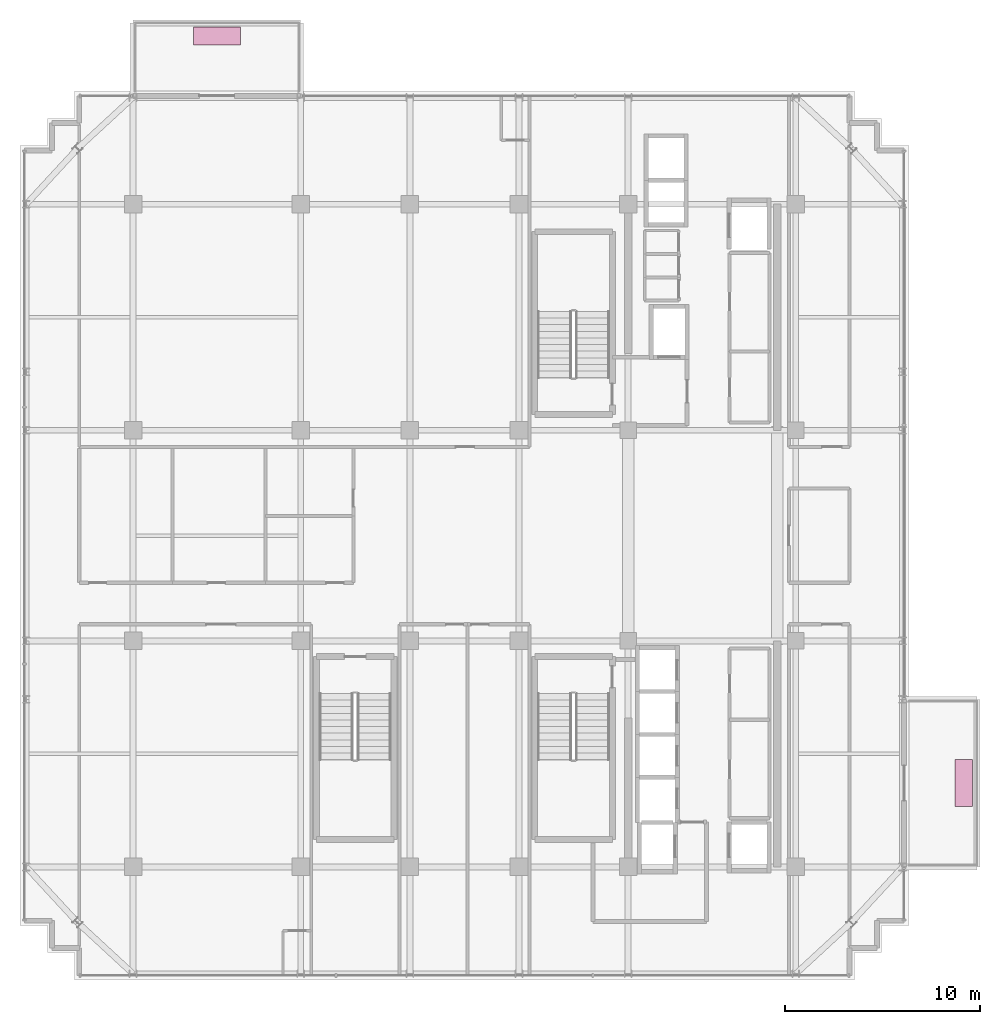
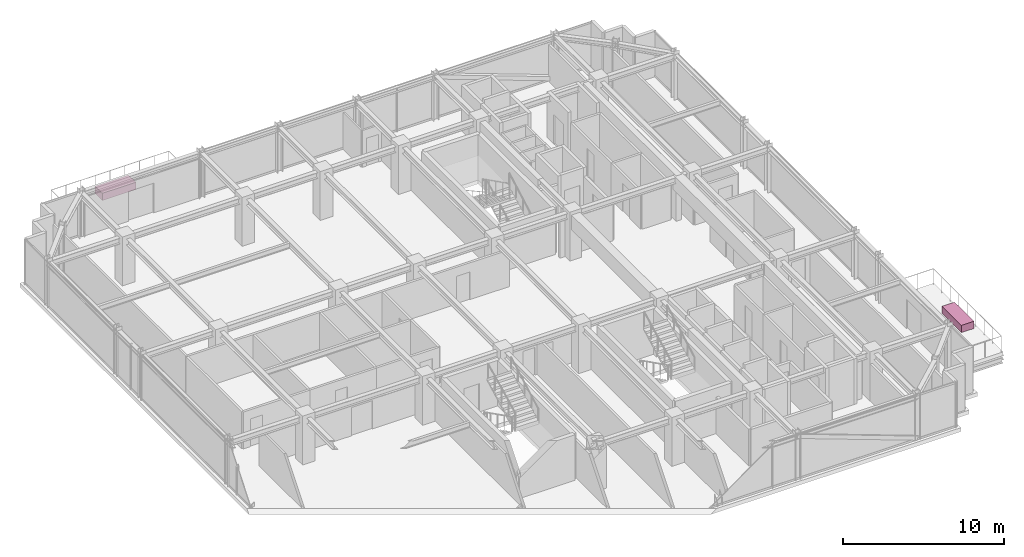
# One storey, part 31 of 31: 2 furnishings.
"""IFC4 building model written with IfcOpenShell, lengths in metres."""

from ifc_helpers import new_model, si_unit, direction, frame, origin, origin_2d, place, context, subcontext, project, spatial, rectangle, extrude, source, transform, mapped, material, type_object, element, save


model = new_model("IFC4")

# Units and contexts
model_context = context("Model", 3, precision=1e-05, world=origin(), true_north=direction((0.0, 1.0)))
body_context = subcontext(model_context, "Body", "Model", "MODEL_VIEW")
ifc_project = project(units=[si_unit("LENGTHUNIT", "METRE"), si_unit("AREAUNIT", "SQUARE_METRE"), si_unit("VOLUMEUNIT", "CUBIC_METRE"), si_unit("PLANEANGLEUNIT", "RADIAN"), si_unit("MASSUNIT", "GRAM", prefix="KILO")], contexts=[model_context])

# Site, building, storey
site_placement = place(None, origin())
site = spatial("IfcSite", under=ifc_project, at=site_placement, CompositionType="ELEMENT")
building_placement = place(site_placement, origin())
building = spatial("IfcBuilding", under=site, at=building_placement, Name="Nahalor Promenade Grand Hotel", CompositionType="ELEMENT")
storey_placement = place(building_placement, frame((0.0, 0.0, 281.300048828125)))
storey = spatial("IfcBuildingStorey", under=building, at=storey_placement, Name="L72", CompositionType="ELEMENT", Elevation=281.300048828125)

# Furnishings
ifc_material = material(Name="Vegetated Volcanic-Lapilli Tree Planter", Category="earth")
furnishing_element_type = type_object("IfcFurnishingElementType", Name="Planter-VerticalForest-Box", material=ifc_material)
shared_shape = source(origin(), body_context, "Body", "SweptSolid", [
    extrude(rectangle(XDim=2.39990234375, YDim=0.89990234375, at=origin_2d()), origin(), (0.0, 0.0, 1.0), 0.550048828125),
])
for number, where, z_axis, x_axis, name in (
    (1, (-12.699951171875, 25.6298828125, 0.0), (0.0, 0.0, 1.0), (1.0, 0.0, 0.0), "L72 Balcony Structural Tree Planter 1"),
    (2, (25.6201171875, -12.699951171875, 0.0), (0.0, 0.0, 1.0), (0.0, 1.0, 0.0), "L72 Balcony Structural Tree Planter 2"),
):
    element("IfcFurnishingElement", number, at=place(storey_placement, frame(where, z_axis=z_axis, x_axis=x_axis)), inside=storey, type_object=furnishing_element_type, Name=name, ObjectType="PLANTER", context=body_context, shape_type="MappedRepresentation", body=[
        mapped(shared_shape, transform((0.0, 0.0, 0.0), scale=1.0)),
    ])

save(model, "model.ifc")
